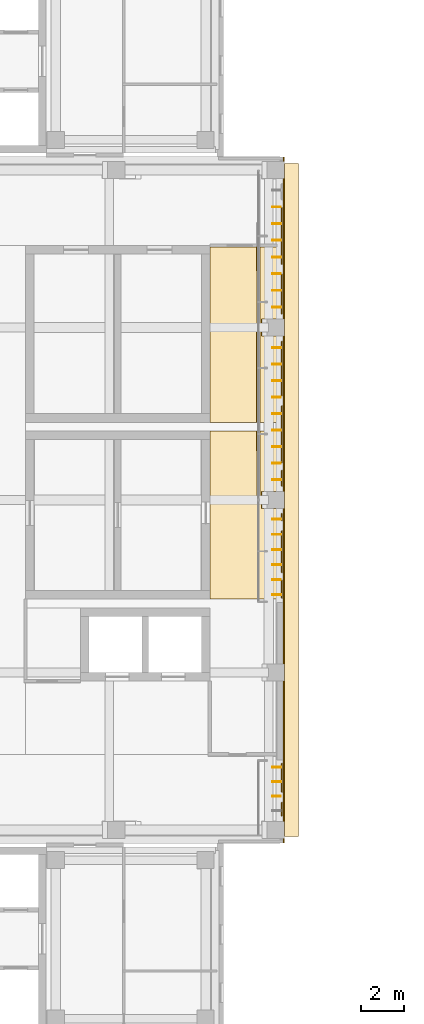
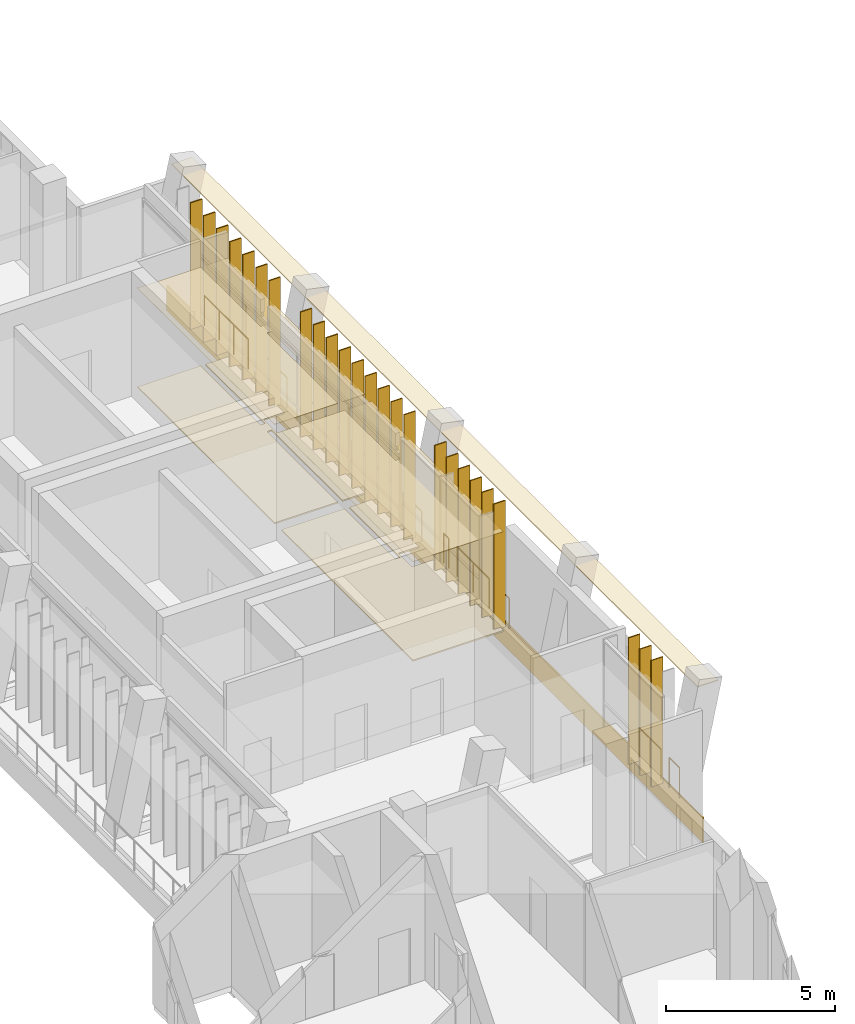
# One storey, part 86 of 89: 25 shading devices, 10 railings, 6 coverings.
"""IFC4 building model written with IfcOpenShell, lengths in metres."""

from ifc_helpers import new_model, si_unit, direction, frame, frame_2d, origin, origin_2d, place, context, subcontext, project, spatial, polyline, rectangle, circle, outline, extrude, material, layer, layer_set, type_object, element, save


model = new_model("IFC4")

# Units and contexts
model_context = context("Model", 3, precision=1e-05, world=origin(), true_north=direction((0.0, 1.0)))
body_context = subcontext(model_context, "Body", "Model", "MODEL_VIEW")
ifc_project = project(units=[si_unit("LENGTHUNIT", "METRE"), si_unit("AREAUNIT", "SQUARE_METRE"), si_unit("VOLUMEUNIT", "CUBIC_METRE"), si_unit("PLANEANGLEUNIT", "RADIAN"), si_unit("MASSUNIT", "GRAM", prefix="KILO")], contexts=[model_context])

# Site, building, storey
site_placement = place(None, origin())
site = spatial("IfcSite", under=ifc_project, at=site_placement, CompositionType="ELEMENT")
building_placement = place(site_placement, origin())
building = spatial("IfcBuilding", under=site, at=building_placement, Name="Lantern Court Media Centre", CompositionType="ELEMENT")
storey_placement = place(building_placement, frame((0.0, 0.0, 14.39990234375)))
storey = spatial("IfcBuildingStorey", under=building, at=storey_placement, Name="L03", CompositionType="ELEMENT", Elevation=14.39990234375)

# Coverings
ifc_material_1 = material(Name="Carpet")
ifc_layer_1 = layer(ifc_material_1, 0.050048828125)
ifc_layer_set_1 = layer_set([ifc_layer_1], Name="Carpet")
covering_type_1 = type_object("IfcCoveringType", Name="Carpet floor finish", PredefinedType="FLOORING", material=ifc_layer_set_1)
covering_1_placement = place(storey_placement, origin())
element("IfcCovering", 1, at=covering_1_placement, inside=storey, type_object=covering_type_1, Name="Sound Library floor finish", PredefinedType="FLOORING", context=body_context, shape_type="SweptSolid", body=[
    extrude(outline(polyline([(98.699951171875, 75.39990234375), (95.60498046875, 75.39990234375), (95.60498046875, 83.199951171875), (97.77001953125, 83.199951171875), (97.77490234375, 80.195068359375), (97.929931640625, 80.199462890625), (97.929931640625, 83.199951171875), (98.699951171875, 83.199951171875), (98.699951171875, 80.405029296875), (97.9951171875, 80.39990234375), (97.99609375, 79.596923828125), (98.699951171875, 79.594970703125), (98.699951171875, 75.39990234375)])), origin(), (0.0, 0.0, 1.0), 0.050048828125),
])
covering_2_placement = place(storey_placement, origin())
element("IfcCovering", 2, at=covering_2_placement, inside=storey, type_object=covering_type_1, Name="Sound Library floor finish", PredefinedType="FLOORING", context=body_context, shape_type="SweptSolid", body=[
    extrude(outline(polyline([(98.699951171875, 83.60009765625), (97.929931640625, 83.60009765625), (97.925048828125, 87.804931640625), (97.77001953125, 87.800048828125), (97.77001953125, 83.60009765625), (95.60498046875, 83.60009765625), (95.60498046875, 91.732421875), (97.77001953125, 91.732421875), (97.77490234375, 88.195068359375), (97.929931640625, 88.199951171875), (97.929931640625, 91.732421875), (98.699951171875, 91.732421875), (98.699951171875, 88.405029296875), (97.9951171875, 88.39990234375), (97.99609375, 87.596923828125), (98.699951171875, 87.594970703125), (98.699951171875, 83.60009765625)])), origin(), (0.0, 0.0, 1.0), 0.050048828125),
])

# Railings
ifc_material_2 = material(Name="Powder-coated steel", Category="steel")
railing_type = type_object("IfcRailingType", Name="Floor edge guard 1100", PredefinedType="GUARDRAIL", material=ifc_material_2)
railing_1_placement = place(storey_placement, frame((98.93994140625, 93.5419921875, 0.0)))
element("IfcRailing", 3, at=railing_1_placement, inside=storey, type_object=railing_type, Name="L03 edge guard 99", PredefinedType="GUARDRAIL", context=body_context, shape_type="SweptSolid", body=[
    extrude(circle(Radius=0.02392578125, at=origin_2d()), frame((0.0, 0.0, 1.076171875), z_axis=(0.0, -1.0, 0.0), x_axis=(1.0, 0.0, 0.0)), (0.0, 0.0, 1.0), 2.597900390625),
    extrude(circle(Radius=0.02099609375, at=origin_2d()), origin(), (0.0, 0.0, 1.0), 1.052001953125),
    extrude(circle(Radius=0.02099609375, at=origin_2d()), frame((0.0, -0.865966796875, 0.0)), (0.0, 0.0, 1.0), 1.052001953125),
    extrude(circle(Radius=0.02099609375, at=origin_2d()), frame((0.0, -1.73193359375, 0.0)), (0.0, 0.0, 1.0), 1.052001953125),
    extrude(circle(Radius=0.02099609375, at=origin_2d()), frame((0.0, -2.597900390625, 0.0)), (0.0, 0.0, 1.0), 1.052001953125),
])
railing_2_placement = place(storey_placement, frame((98.93994140625, 90.444091796875, 0.0)))
element("IfcRailing", 4, at=railing_2_placement, inside=storey, type_object=railing_type, Name="L03 edge guard 100", PredefinedType="GUARDRAIL", context=body_context, shape_type="SweptSolid", body=[
    extrude(circle(Radius=0.02392578125, at=origin_2d()), frame((0.0, 0.0, 1.076171875), z_axis=(0.0, -1.0, 0.0), x_axis=(1.0, 0.0, 0.0)), (0.0, 0.0, 1.0), 1.798095703125),
    extrude(circle(Radius=0.02099609375, at=origin_2d()), origin(), (0.0, 0.0, 1.0), 1.052001953125),
    extrude(circle(Radius=0.02099609375, at=origin_2d()), frame((0.0, -0.89892578125, 0.0)), (0.0, 0.0, 1.0), 1.052001953125),
    extrude(circle(Radius=0.02099609375, at=origin_2d()), frame((0.0, -1.798095703125, 0.0)), (0.0, 0.0, 1.0), 1.052001953125),
])
railing_3_placement = place(storey_placement, frame((98.93994140625, 87.346923828125, 0.0)))
element("IfcRailing", 5, at=railing_3_placement, inside=storey, type_object=railing_type, Name="L03 edge guard 101", PredefinedType="GUARDRAIL", context=body_context, shape_type="SweptSolid", body=[
    extrude(circle(Radius=0.02392578125, at=origin_2d()), frame((0.0, 0.0, 1.076171875), z_axis=(0.0, -1.0, 0.0), x_axis=(1.0, 0.0, 0.0)), (0.0, 0.0, 1.0), 2.497802734375),
    extrude(circle(Radius=0.02099609375, at=origin_2d()), origin(), (0.0, 0.0, 1.0), 1.052001953125),
    extrude(circle(Radius=0.02099609375, at=origin_2d()), frame((0.0, -0.83251953125, 0.0)), (0.0, 0.0, 1.0), 1.052001953125),
    extrude(circle(Radius=0.02099609375, at=origin_2d()), frame((0.0, -1.665283203125, 0.0)), (0.0, 0.0, 1.0), 1.052001953125),
    extrude(circle(Radius=0.02099609375, at=origin_2d()), frame((0.0, -2.497802734375, 0.0)), (0.0, 0.0, 1.0), 1.052001953125),
])
railing_4_placement = place(storey_placement, frame((98.93994140625, 84.35009765625, 0.0)))
element("IfcRailing", 6, at=railing_4_placement, inside=storey, type_object=railing_type, Name="L03 edge guard 102", PredefinedType="GUARDRAIL", context=body_context, shape_type="SweptSolid", body=[
    extrude(circle(Radius=0.02392578125, at=origin_2d()), frame((0.0, 0.0, 1.076171875), z_axis=(0.0, -1.0, 0.0), x_axis=(1.0, 0.0, 0.0)), (0.0, 0.0, 1.0), 2.59814453125),
    extrude(circle(Radius=0.02099609375, at=origin_2d()), origin(), (0.0, 0.0, 1.0), 1.052001953125),
    extrude(circle(Radius=0.02099609375, at=origin_2d()), frame((0.0, -0.865966796875, 0.0)), (0.0, 0.0, 1.0), 1.052001953125),
    extrude(circle(Radius=0.02099609375, at=origin_2d()), frame((0.0, -1.732177734375, 0.0)), (0.0, 0.0, 1.0), 1.052001953125),
    extrude(circle(Radius=0.02099609375, at=origin_2d()), frame((0.0, -2.59814453125, 0.0)), (0.0, 0.0, 1.0), 1.052001953125),
])
railing_5_placement = place(storey_placement, frame((98.93994140625, 81.35205078125, 0.0)))
element("IfcRailing", 7, at=railing_5_placement, inside=storey, type_object=railing_type, Name="L03 edge guard 103", PredefinedType="GUARDRAIL", context=body_context, shape_type="SweptSolid", body=[
    extrude(circle(Radius=0.02392578125, at=origin_2d()), frame((0.0, 0.0, 1.076171875), z_axis=(0.0, -1.0, 0.0), x_axis=(1.0, 0.0, 0.0)), (0.0, 0.0, 1.0), 0.698974609375),
    extrude(circle(Radius=0.02099609375, at=origin_2d()), origin(), (0.0, 0.0, 1.0), 1.052001953125),
    extrude(circle(Radius=0.02099609375, at=origin_2d()), frame((0.0, -0.698974609375, 0.0)), (0.0, 0.0, 1.0), 1.052001953125),
])
railing_6_placement = place(storey_placement, frame((98.93994140625, 79.35400390625, 0.0)))
element("IfcRailing", 8, at=railing_6_placement, inside=storey, type_object=railing_type, Name="L03 edge guard 104", PredefinedType="GUARDRAIL", context=body_context, shape_type="SweptSolid", body=[
    extrude(circle(Radius=0.02392578125, at=origin_2d()), frame((0.0, 0.0, 1.076171875), z_axis=(0.0, -1.0, 0.0), x_axis=(1.0, 0.0, 0.0)), (0.0, 0.0, 1.0), 0.300048828125),
    extrude(circle(Radius=0.02099609375, at=origin_2d()), origin(), (0.0, 0.0, 1.0), 1.052001953125),
    extrude(circle(Radius=0.02099609375, at=origin_2d()), frame((0.0, -0.300048828125, 0.0)), (0.0, 0.0, 1.0), 1.052001953125),
])
railing_7_placement = place(storey_placement, frame((98.93994140625, 78.554931640625, 0.0)))
element("IfcRailing", 9, at=railing_7_placement, inside=storey, type_object=railing_type, Name="L03 edge guard 105", PredefinedType="GUARDRAIL", context=body_context, shape_type="SweptSolid", body=[
    extrude(circle(Radius=0.02392578125, at=origin_2d()), frame((0.0, 0.0, 1.076171875), z_axis=(0.0, -1.0, 0.0), x_axis=(1.0, 0.0, 0.0)), (0.0, 0.0, 1.0), 1.89892578125),
    extrude(circle(Radius=0.02099609375, at=origin_2d()), origin(), (0.0, 0.0, 1.0), 1.052001953125),
    extrude(circle(Radius=0.02099609375, at=origin_2d()), frame((0.0, -0.949462890625, 0.0)), (0.0, 0.0, 1.0), 1.052001953125),
    extrude(circle(Radius=0.02099609375, at=origin_2d()), frame((0.0, -1.89892578125, 0.0)), (0.0, 0.0, 1.0), 1.052001953125),
])
railing_8_placement = place(storey_placement, frame((98.93994140625, 76.256103515625, 0.0)))
element("IfcRailing", 10, at=railing_8_placement, inside=storey, type_object=railing_type, Name="L03 edge guard 106", PredefinedType="GUARDRAIL", context=body_context, shape_type="SweptSolid", body=[
    extrude(circle(Radius=0.02392578125, at=origin_2d()), frame((0.0, 0.0, 1.076171875), z_axis=(0.0, -1.0, 0.0), x_axis=(1.0, 0.0, 0.0)), (0.0, 0.0, 1.0), 0.799072265625),
    extrude(circle(Radius=0.02099609375, at=origin_2d()), origin(), (0.0, 0.0, 1.0), 1.052001953125),
    extrude(circle(Radius=0.02099609375, at=origin_2d()), frame((0.0, -0.799072265625, 0.0)), (0.0, 0.0, 1.0), 1.052001953125),
])
railing_9_placement = place(storey_placement, frame((98.93994140625, 67.763916015625, 0.0)))
element("IfcRailing", 11, at=railing_9_placement, inside=storey, type_object=railing_type, Name="L03 edge guard 107", PredefinedType="GUARDRAIL", context=body_context, shape_type="SweptSolid", body=[
    extrude(circle(Radius=0.02392578125, at=origin_2d()), frame((0.0, 0.0, 1.076171875), z_axis=(0.0, -1.0, 0.0), x_axis=(1.0, 0.0, 0.0)), (0.0, 0.0, 1.0), 1.298828125),
    extrude(circle(Radius=0.02099609375, at=origin_2d()), origin(), (0.0, 0.0, 1.0), 1.052001953125),
    extrude(circle(Radius=0.02099609375, at=origin_2d()), frame((0.0, -0.6494140625, 0.0)), (0.0, 0.0, 1.0), 1.052001953125),
    extrude(circle(Radius=0.02099609375, at=origin_2d()), frame((0.0, -1.298828125, 0.0)), (0.0, 0.0, 1.0), 1.052001953125),
])
railing_10_placement = place(storey_placement, frame((98.93994140625, 65.965087890625, 0.0)))
element("IfcRailing", 12, at=railing_10_placement, inside=storey, type_object=railing_type, Name="L03 edge guard 108", PredefinedType="GUARDRAIL", context=body_context, shape_type="SweptSolid", body=[
    extrude(circle(Radius=0.02392578125, at=origin_2d()), frame((0.0, 0.0, 1.076171875), z_axis=(0.0, -1.0, 0.0), x_axis=(1.0, 0.0, 0.0)), (0.0, 0.0, 1.0), 0.59912109375),
    extrude(circle(Radius=0.02099609375, at=origin_2d()), origin(), (0.0, 0.0, 1.0), 1.052001953125),
    extrude(circle(Radius=0.02099609375, at=origin_2d()), frame((0.0, -0.59912109375, 0.0)), (0.0, 0.0, 1.0), 1.052001953125),
])

# Coverings
ifc_material_3 = material(Name="White glass-fibre reinforced cement cladding", Category="concrete")
ifc_layer_2 = layer(ifc_material_3, 0.050048828125)
ifc_layer_set_2 = layer_set([ifc_layer_2], Name="White glass-fibre reinforced cement cladding")
covering_type_2 = type_object("IfcCoveringType", Name="Floor-edge band 50", PredefinedType="CLADDING", material=ifc_layer_set_2)
covering_3_placement = place(storey_placement, frame((99.02490234375, 64.10009765625, -0.89990234375), z_axis=(0.0, 0.0, 1.0), x_axis=(0.0, 1.0, 0.0)))
element("IfcCovering", 13, at=covering_3_placement, inside=storey, type_object=covering_type_2, Name="Floor-edge band E outer L03", PredefinedType="CLADDING", context=body_context, shape_type="SweptSolid", body=[
    extrude(rectangle(XDim=31.7998046875, YDim=0.050048828125, at=frame_2d((15.89990234375, 0.0))), origin(), (0.0, 0.0, 1.0), 0.89990234375),
])
ifc_material_4 = material(Name="White fibre cement soffit board")
ifc_layer_3 = layer(ifc_material_4, 0.0400390625)
ifc_layer_set_3 = layer_set([ifc_layer_3], Name="White fibre cement soffit board")
covering_type_3 = type_object("IfcCoveringType", Name="Soffit lining 40", PredefinedType="CLADDING", material=ifc_layer_set_3)
covering_4_placement = place(storey_placement, frame((99.35009765625, 64.39990234375, 4.5400390625), z_axis=(0.0, 0.0, 1.0), x_axis=(0.0, 1.0, 0.0)))
element("IfcCovering", 14, at=covering_4_placement, inside=storey, type_object=covering_type_3, Name="Soffit lining E L03", PredefinedType="CLADDING", context=body_context, shape_type="SweptSolid", body=[
    extrude(rectangle(XDim=31.2001953125, YDim=0.699951171875, at=frame_2d((15.60009765625, 0.0))), origin(), (0.0, 0.0, 1.0), 0.0400390625),
])
ifc_material_5 = material(Name="Mineral fibre ceiling tile")
ifc_layer_4 = layer(ifc_material_5, 0.02001953125)
ifc_layer_set_4 = layer_set([ifc_layer_4], Name="Mineral fibre ceiling tile")
covering_type_4 = type_object("IfcCoveringType", Name="Suspended ceiling tile", PredefinedType="CEILING", material=ifc_layer_set_4)
covering_5_placement = place(storey_placement, frame((0.0, 0.0, 3.60009765625)))
element("IfcCovering", 15, at=covering_5_placement, inside=storey, type_object=covering_type_4, Name="Sound Library ceiling", PredefinedType="CEILING", context=body_context, shape_type="SweptSolid", body=[
    extrude(outline(polyline([(98.699951171875, 83.199951171875), (98.699951171875, 75.39990234375), (95.6005859375, 75.39990234375), (95.6005859375, 83.199951171875), (97.7744140625, 83.199951171875), (97.77490234375, 80.199462890625), (97.925537109375, 80.199951171875), (97.925537109375, 83.199951171875), (98.699951171875, 83.199951171875)])), origin(), (0.0, 0.0, 1.0), 0.02001953125),
])
covering_6_placement = place(storey_placement, frame((0.0, 0.0, 3.60009765625)))
element("IfcCovering", 16, at=covering_6_placement, inside=storey, type_object=covering_type_4, Name="Sound Library ceiling", PredefinedType="CEILING", context=body_context, shape_type="SweptSolid", body=[
    extrude(outline(polyline([(98.699951171875, 83.60009765625), (97.925537109375, 83.60009765625), (97.925048828125, 87.800537109375), (97.7744140625, 87.800048828125), (97.7744140625, 83.60009765625), (95.6005859375, 83.60009765625), (95.6005859375, 91.800048828125), (95.60498046875, 91.737060546875), (97.77001953125, 91.737060546875), (97.7744140625, 91.800048828125), (97.77490234375, 88.199462890625), (97.925537109375, 88.199951171875), (97.925537109375, 91.800048828125), (97.929931640625, 91.737060546875), (98.699951171875, 91.737060546875), (98.699951171875, 83.60009765625)])), origin(), (0.0, 0.0, 1.0), 0.02001953125),
])

# Shading devices
ifc_material_6 = material(Name="Bronze anodised aluminium louvre", Category="aluminium")
ifc_layer_5 = layer(ifc_material_6, 0.0400390625)
ifc_layer_set_5 = layer_set([ifc_layer_5], Name="Bronze anodised aluminium louvre")
shading_device_type = type_object("IfcShadingDeviceType", Name="Vertical louvre 40x400 full storey", PredefinedType="USERDEFINED", material=ifc_layer_set_5)
for number, where, z_axis, x_axis, name in (
    (17, (98.679931640625, 66.262451171875, 0.0), (0.0, 0.0, 1.0), (1.0, 0.0, 0.0), "Vertical louvre E outer L03"),
    (18, (98.679931640625, 66.9375, 0.0), (0.0, 0.0, 1.0), (1.0, 0.0, 0.0), "Vertical louvre E outer L03"),
    (19, (98.679931640625, 67.612548828125, 0.0), (0.0, 0.0, 1.0), (1.0, 0.0, 0.0), "Vertical louvre E outer L03"),
    (20, (98.679931640625, 75.60009765625, 0.0), (0.0, 0.0, 1.0), (1.0, 0.0, 0.0), "Vertical louvre E outer L03"),
    (21, (98.679931640625, 76.300048828125, 0.0), (0.0, 0.0, 1.0), (1.0, 0.0, 0.0), "Vertical louvre E outer L03"),
    (22, (98.679931640625, 77.0, 0.0), (0.0, 0.0, 1.0), (1.0, 0.0, 0.0), "Vertical louvre E outer L03"),
    (23, (98.679931640625, 77.699951171875, 0.0), (0.0, 0.0, 1.0), (1.0, 0.0, 0.0), "Vertical louvre E outer L03"),
    (24, (98.679931640625, 78.39990234375, 0.0), (0.0, 0.0, 1.0), (1.0, 0.0, 0.0), "Vertical louvre E outer L03"),
    (25, (98.679931640625, 79.10009765625, 0.0), (0.0, 0.0, 1.0), (1.0, 0.0, 0.0), "Vertical louvre E outer L03"),
    (26, (98.679931640625, 80.933349609375, 0.0), (0.0, 0.0, 1.0), (1.0, 0.0, 0.0), "Vertical louvre E outer L03"),
    (27, (98.679931640625, 81.699951171875, 0.0), (0.0, 0.0, 1.0), (1.0, 0.0, 0.0), "Vertical louvre E outer L03"),
    (28, (98.679931640625, 82.466552734375, 0.0), (0.0, 0.0, 1.0), (1.0, 0.0, 0.0), "Vertical louvre E outer L03"),
    (29, (98.679931640625, 83.2333984375, 0.0), (0.0, 0.0, 1.0), (1.0, 0.0, 0.0), "Vertical louvre E outer L03"),
    (30, (98.679931640625, 84.0, 0.0), (0.0, 0.0, 1.0), (1.0, 0.0, 0.0), "Vertical louvre E outer L03"),
    (31, (98.679931640625, 84.7666015625, 0.0), (0.0, 0.0, 1.0), (1.0, 0.0, 0.0), "Vertical louvre E outer L03"),
    (32, (98.679931640625, 85.533447265625, 0.0), (0.0, 0.0, 1.0), (1.0, 0.0, 0.0), "Vertical louvre E outer L03"),
    (33, (98.679931640625, 86.300048828125, 0.0), (0.0, 0.0, 1.0), (1.0, 0.0, 0.0), "Vertical louvre E outer L03"),
    (34, (98.679931640625, 87.066650390625, 0.0), (0.0, 0.0, 1.0), (1.0, 0.0, 0.0), "Vertical louvre E outer L03"),
    (35, (98.679931640625, 88.9375, 0.0), (0.0, 0.0, 1.0), (1.0, 0.0, 0.0), "Vertical louvre E outer L03"),
    (36, (98.679931640625, 89.71240234375, 0.0), (0.0, 0.0, 1.0), (1.0, 0.0, 0.0), "Vertical louvre E outer L03"),
    (37, (98.679931640625, 90.487548828125, 0.0), (0.0, 0.0, 1.0), (1.0, 0.0, 0.0), "Vertical louvre E outer L03"),
    (38, (98.679931640625, 91.262451171875, 0.0), (0.0, 0.0, 1.0), (1.0, 0.0, 0.0), "Vertical louvre E outer L03"),
    (39, (98.679931640625, 92.03759765625, 0.0), (0.0, 0.0, 1.0), (1.0, 0.0, 0.0), "Vertical louvre E outer L03"),
    (40, (98.679931640625, 92.8125, 0.0), (0.0, 0.0, 1.0), (1.0, 0.0, 0.0), "Vertical louvre E outer L03"),
    (41, (98.679931640625, 93.58740234375, 0.0), (0.0, 0.0, 1.0), (1.0, 0.0, 0.0), "Vertical louvre E outer L03"),
):
    element("IfcShadingDevice", number, at=place(storey_placement, frame(where, z_axis=z_axis, x_axis=x_axis)), inside=storey, type_object=shading_device_type, Name=name, ObjectType="VERTICAL LOUVRE", PredefinedType="USERDEFINED", context=body_context, shape_type="SweptSolid", body=[
        extrude(rectangle(XDim=0.39990234375, YDim=0.0400390625, at=origin_2d()), origin(), (0.0, 0.0, 1.0), 4.580078125),
    ])

save(model, "model.ifc")
